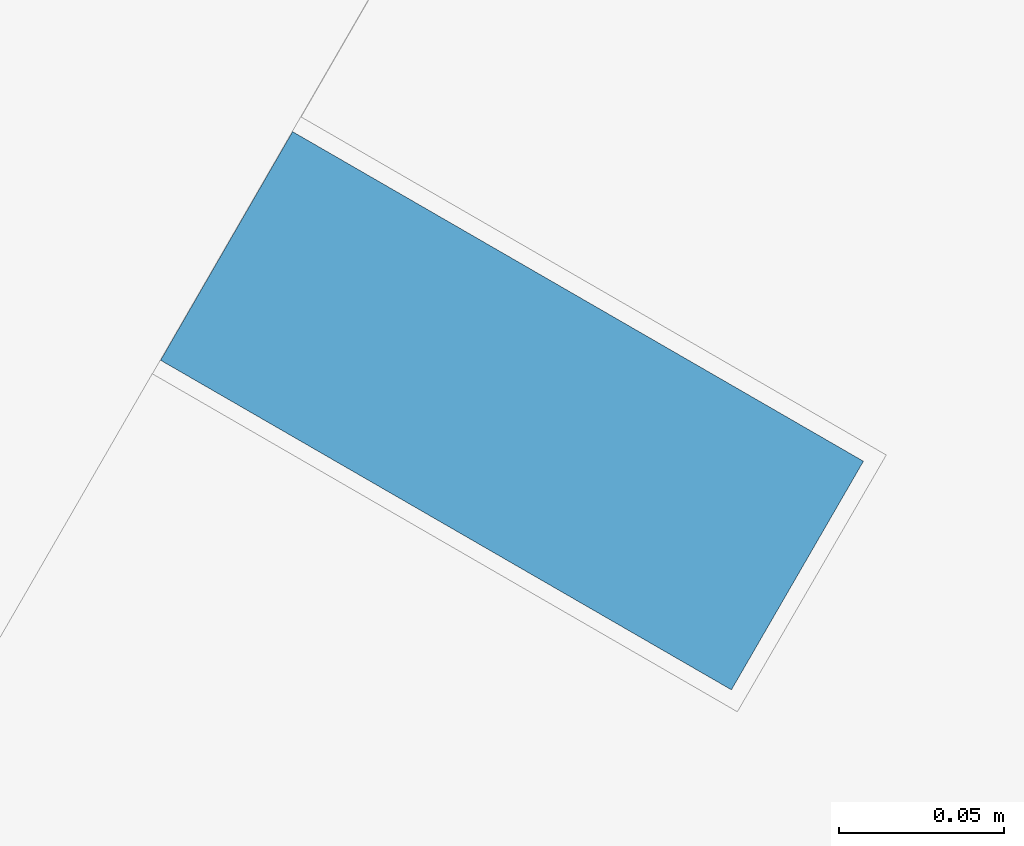
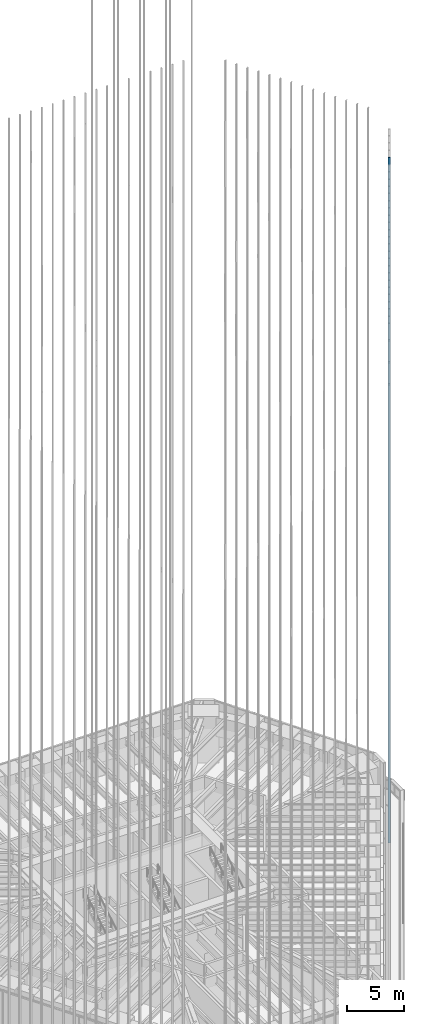
# One storey, part 121 of 228: 1 member, 1 element without a shape of its own.
"""IFC4 building model written with IfcOpenShell, lengths in metres."""

from ifc_helpers import new_model, si_unit, direction, frame, origin, origin_2d, place, context, subcontext, project, spatial, rectangle, extrude, material, material_profile, profile_set, type_object, element, aggregate, save


model = new_model("IFC4")

# Units and contexts
model_context = context("Model", 3, precision=1e-05, world=origin(), true_north=direction((0.0, 1.0)))
body_context = subcontext(model_context, "Body", "Model", "MODEL_VIEW")
ifc_project = project(units=[si_unit("LENGTHUNIT", "METRE"), si_unit("AREAUNIT", "SQUARE_METRE"), si_unit("VOLUMEUNIT", "CUBIC_METRE"), si_unit("PLANEANGLEUNIT", "RADIAN"), si_unit("MASSUNIT", "GRAM", prefix="KILO")], contexts=[model_context])

# Site, building, storey
site_placement = place(None, origin())
site = spatial("IfcSite", under=ifc_project, at=site_placement, CompositionType="ELEMENT")
building_placement = place(site_placement, origin())
building = spatial("IfcBuilding", under=site, at=building_placement, Name="Sandreach Pilgrim Tower", CompositionType="ELEMENT")
storey_placement = place(building_placement, frame((0.0, 0.0, 178.199951171875)))
storey = spatial("IfcBuildingStorey", under=building, at=storey_placement, Name="L44", CompositionType="ELEMENT", Elevation=178.199951171875)

# Curtain wall, member
ifc_material_1 = material(Name="Aluminium framed curtain wall", Category="aluminium")
curtain_wall_type = type_object("IfcCurtainWallType", Name="Upper hotel tower curtain wall", PredefinedType="NOTDEFINED", material=ifc_material_1)
curtain_wall_placement = place(storey_placement, origin())
curtain_wall = element("IfcCurtainWall", 1, at=curtain_wall_placement, inside=storey, type_object=curtain_wall_type, Name="CW-3 L44 SE", PredefinedType="NOTDEFINED")
ifc_material_2 = material(Name="Extruded terracotta on aluminium core", Category="masonry")
ifc_material_profile = material_profile(ifc_material_2, rectangle(XDim=0.080078125, YDim=0.199951171875, at=origin_2d()), Name="TBE 80X200")
ifc_profile_set = profile_set([ifc_material_profile], Name="Extruded terracotta on aluminium core")
member_type = type_object("IfcMemberType", Name="Terracotta baguette east", PredefinedType="USERDEFINED", material=ifc_profile_set)
member_placement = place(storey_placement, frame((24.728759765625, -0.288818359375, 0.0), z_axis=(0.0, 0.0, 1.0), x_axis=(-0.5, -0.866025403784, 0.0)))
member = element("IfcMember", 2, at=member_placement, type_object=member_type, Name="Baguette Z3 SE05", ObjectType="BAGUETTE", PredefinedType="USERDEFINED", context=body_context, shape_type="SweptSolid", body=[
    extrude(rectangle(XDim=0.080078125, YDim=0.199951171875, at=origin_2d()), origin(), (0.0, 0.0, 1.0), 73.239990234375),
])
aggregate(curtain_wall, [member])

save(model, "model.ifc")
